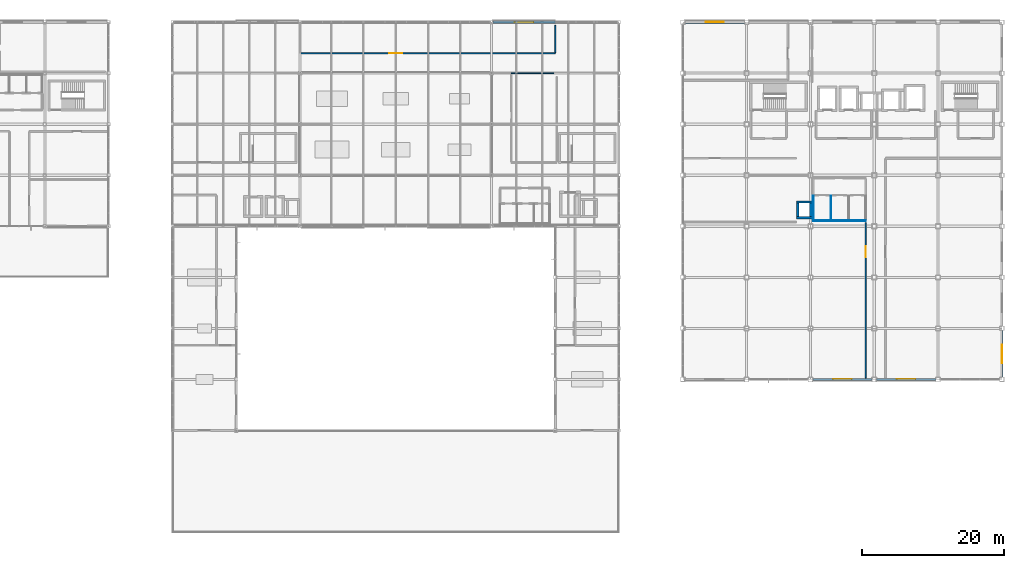
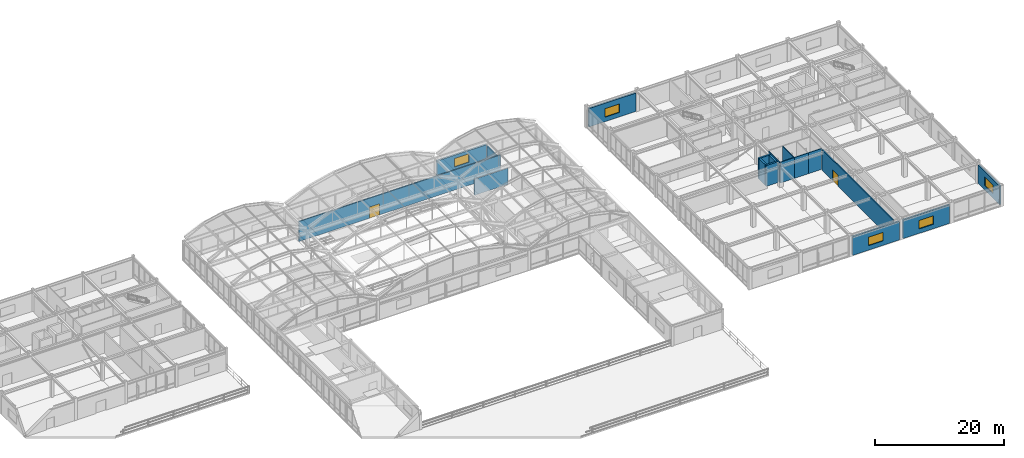
# One storey, part 89 of 106: 18 walls, 5 windows, 2 doors, 7 openings.
"""IFC4 building model written with IfcOpenShell, lengths in metres."""

from ifc_helpers import new_model, si_unit, direction, frame, frame_2d, origin, place, context, subcontext, project, spatial, rectangle, extrude, material, layer, layer_set, type_object, element, fill, save


model = new_model("IFC4")

# Units and contexts
model_context = context("Model", 3, precision=1e-05, world=origin(), true_north=direction((0.0, 1.0)))
body_context = subcontext(model_context, "Body", "Model", "MODEL_VIEW")
ifc_project = project(units=[si_unit("LENGTHUNIT", "METRE"), si_unit("AREAUNIT", "SQUARE_METRE"), si_unit("VOLUMEUNIT", "CUBIC_METRE"), si_unit("PLANEANGLEUNIT", "RADIAN"), si_unit("MASSUNIT", "GRAM", prefix="KILO")], contexts=[model_context])

# Site, building, storey
site_placement = place(None, origin())
site = spatial("IfcSite", under=ifc_project, at=site_placement, CompositionType="ELEMENT")
building_placement = place(site_placement, origin())
building = spatial("IfcBuilding", under=site, at=building_placement, Name="Kazanami Central Library", CompositionType="ELEMENT")
storey_placement = place(building_placement, frame((0.0, 0.0, 12.800048828125)))
storey = spatial("IfcBuildingStorey", under=building, at=storey_placement, Name="L04", CompositionType="ELEMENT", Elevation=12.800048828125)

# Wall, opening, window
ifc_material_1 = material(Name="Concrete Fc36 (36 MPa)", Category="concrete")
ifc_layer_1 = layer(ifc_material_1, 0.219970703125, Name="Concrete Fc36 (36 MPa)")
ifc_material_2 = material(Name="Extruded Polystyrene XPS", Category="earth")
ifc_layer_2 = layer(ifc_material_2, 0.050048828125, Name="Extruded Polystyrene XPS")
ifc_material_3 = material(Name="Honed Inada Granite", Category="masonry")
ifc_layer_3 = layer(ifc_material_3, 0.030029296875, Name="Honed Inada Granite")
ifc_layer_set_1 = layer_set([ifc_layer_1, ifc_layer_2, ifc_layer_3], Name="Concrete Fc36 (36 MPa)")
wall_type_1 = type_object("IfcWallType", Name="WAL-EW-300", PredefinedType="STANDARD", material=ifc_layer_set_1)
wall_1_placement = place(storey_placement, frame((162.0, 50.10009765625, 0.0), z_axis=(0.0, 0.0, 1.0), x_axis=(0.0, -1.0, 0.0)))
wall_1 = element("IfcWall", 1, at=wall_1_placement, inside=storey, type_object=wall_type_1, Name="Exterior Facade Wall EW-300 L04 E-19-06", PredefinedType="STANDARD", context=body_context, shape_type="SweptSolid", body=[
    extrude(rectangle(XDim=6.60009765625, YDim=0.300048828125, at=frame_2d((3.300048828125, 0.0))), origin(), (0.0, 0.0, 1.0), 3.52490234375),
])
opening_1_placement = place(wall_1_placement, frame((2.0, 0.0, 0.85009765625)))
opening_1 = element("IfcOpeningElement", 2, at=opening_1_placement, cuts=wall_1, Name="Opening WN-13", PredefinedType="OPENING", context=body_context, shape_type="SweptSolid", body=[
    extrude(rectangle(XDim=2.60009765625, YDim=1.60009765625, at=frame_2d((1.300048828125, 0.800048828125))), frame((0.0, 0.162109375, 0.0), z_axis=(0.0, -1.0, 0.0), x_axis=(1.0, 0.0, 0.0)), (0.0, 0.0, 1.0), 0.323974609375),
])
ifc_material_4 = material(Name="Low-E Insulated Triple Glass", Category="glass")
window_type = type_object("IfcWindowType", Name="WIN-WN-13", PartitioningType="DOUBLE_PANEL_VERTICAL", PredefinedType="WINDOW", material=ifc_material_4)
window_1_placement = place(opening_1_placement, origin())
window_1 = element("IfcWindow", 3, at=window_1_placement, inside=storey, type_object=window_type, Name="Facade Window WN-13 L04 E-19-06", OverallHeight=1.60009765625, OverallWidth=2.60009765625, PartitioningType="DOUBLE_PANEL_VERTICAL", PredefinedType="WINDOW", context=body_context, shape_type="SweptSolid", body=[
    extrude(rectangle(XDim=2.60009765625, YDim=1.60009765625, at=frame_2d((1.300048828125, 0.800048828125))), frame((0.0, 0.030029296875, 0.0), z_axis=(0.0, -1.0, 0.0), x_axis=(1.0, 0.0, 0.0)), (0.0, 0.0, 1.0), 0.06005859375),
])
fill(opening_1, window_1)

ifc_layer_4 = layer(ifc_material_1, 0.239990234375, Name="Concrete Fc36 (36 MPa)")
ifc_layer_5 = layer(ifc_material_2, 0.050048828125, Name="Extruded Polystyrene XPS")
ifc_layer_6 = layer(ifc_material_3, 0.030029296875, Name="Honed Inada Granite")
ifc_layer_set_2 = layer_set([ifc_layer_4, ifc_layer_5, ifc_layer_6], Name="Concrete Fc36 (36 MPa)")
wall_type_2 = type_object("IfcWallType", Name="WAL-EW-320", PredefinedType="STANDARD", material=ifc_layer_set_2)
wall_2_placement = place(storey_placement, frame((135.324951171875, 43.199951171875, 0.0), z_axis=(0.0, 0.0, 1.0), x_axis=(1.0, 0.0, 0.0)))
wall_2 = element("IfcWall", 4, at=wall_2_placement, inside=storey, type_object=wall_type_2, Name="Exterior Facade Wall EW-320 L04 S-G-15", PredefinedType="STANDARD", context=body_context, shape_type="SweptSolid", body=[
    extrude(rectangle(XDim=8.35009765625, YDim=0.320068359375, at=frame_2d((4.175048828125, 0.0))), origin(), (0.0, 0.0, 1.0), 3.52490234375),
])
opening_2_placement = place(wall_2_placement, frame((2.875, 0.0, 0.85009765625)))
opening_2 = element("IfcOpeningElement", 5, at=opening_2_placement, cuts=wall_2, Name="Opening WN-13", PredefinedType="OPENING", context=body_context, shape_type="SweptSolid", body=[
    extrude(rectangle(XDim=2.60009765625, YDim=1.60009765625, at=frame_2d((1.300048828125, 0.800048828125))), frame((0.0, 0.171875, 0.0), z_axis=(0.0, -1.0, 0.0), x_axis=(1.0, 0.0, 0.0)), (0.0, 0.0, 1.0), 0.343994140625),
])
window_2_placement = place(opening_2_placement, origin())
window_2 = element("IfcWindow", 6, at=window_2_placement, inside=storey, type_object=window_type, Name="Facade Window WN-13 L04 S-G-15", OverallHeight=1.60009765625, OverallWidth=2.60009765625, PartitioningType="DOUBLE_PANEL_VERTICAL", PredefinedType="WINDOW", context=body_context, shape_type="SweptSolid", body=[
    extrude(rectangle(XDim=2.60009765625, YDim=1.60009765625, at=frame_2d((1.300048828125, 0.800048828125))), frame((0.0, 0.030029296875, 0.0), z_axis=(0.0, -1.0, 0.0), x_axis=(1.0, 0.0, 0.0)), (0.0, 0.0, 1.0), 0.06005859375),
])
fill(opening_2, window_2)

wall_3_placement = place(storey_placement, frame((144.324951171875, 43.199951171875, 0.0), z_axis=(0.0, 0.0, 1.0), x_axis=(1.0, 0.0, 0.0)))
wall_3 = element("IfcWall", 7, at=wall_3_placement, inside=storey, type_object=wall_type_2, Name="Exterior Facade Wall EW-320 L04 S-G-16", PredefinedType="STANDARD", context=body_context, shape_type="SweptSolid", body=[
    extrude(rectangle(XDim=8.35009765625, YDim=0.320068359375, at=frame_2d((4.175048828125, 0.0))), origin(), (0.0, 0.0, 1.0), 3.52490234375),
])
opening_3_placement = place(wall_3_placement, frame((2.875, 0.0, 0.85009765625)))
opening_3 = element("IfcOpeningElement", 8, at=opening_3_placement, cuts=wall_3, Name="Opening WN-13", PredefinedType="OPENING", context=body_context, shape_type="SweptSolid", body=[
    extrude(rectangle(XDim=2.60009765625, YDim=1.60009765625, at=frame_2d((1.300048828125, 0.800048828125))), frame((0.0, 0.171875, 0.0), z_axis=(0.0, -1.0, 0.0), x_axis=(1.0, 0.0, 0.0)), (0.0, 0.0, 1.0), 0.343994140625),
])
window_3_placement = place(opening_3_placement, origin())
window_3 = element("IfcWindow", 9, at=window_3_placement, inside=storey, type_object=window_type, Name="Facade Window WN-13 L04 S-G-16", OverallHeight=1.60009765625, OverallWidth=2.60009765625, PartitioningType="DOUBLE_PANEL_VERTICAL", PredefinedType="WINDOW", context=body_context, shape_type="SweptSolid", body=[
    extrude(rectangle(XDim=2.60009765625, YDim=1.60009765625, at=frame_2d((1.300048828125, 0.800048828125))), frame((0.0, 0.030029296875, 0.0), z_axis=(0.0, -1.0, 0.0), x_axis=(1.0, 0.0, 0.0)), (0.0, 0.0, 1.0), 0.06005859375),
])
fill(opening_3, window_3)

wall_4_placement = place(storey_placement, frame((99.0, 93.60009765625, 0.0), z_axis=(0.0, 0.0, 1.0), x_axis=(-1.0, 0.0, 0.0)))
wall_4 = element("IfcWall", 10, at=wall_4_placement, inside=storey, type_object=wall_type_2, Name="Exterior Facade Wall EW-320 L04 N-O-10", PredefinedType="STANDARD", context=body_context, shape_type="SweptSolid", body=[
    extrude(rectangle(XDim=8.800048828125, YDim=0.320068359375, at=frame_2d((4.39990234375, 0.0))), origin(), (0.0, 0.0, 1.0), 3.079833984375),
])
opening_4_placement = place(wall_4_placement, frame((3.10009765625, 0.0, 0.85009765625)))
opening_4 = element("IfcOpeningElement", 11, at=opening_4_placement, cuts=wall_4, Name="Opening WN-13", PredefinedType="OPENING", context=body_context, shape_type="SweptSolid", body=[
    extrude(rectangle(XDim=2.60009765625, YDim=1.60009765625, at=frame_2d((1.300048828125, 0.800048828125))), frame((0.0, 0.171875, 0.0), z_axis=(0.0, -1.0, 0.0), x_axis=(1.0, 0.0, 0.0)), (0.0, 0.0, 1.0), 0.343994140625),
])
window_4_placement = place(opening_4_placement, origin())
window_4 = element("IfcWindow", 12, at=window_4_placement, inside=storey, type_object=window_type, Name="Facade Window WN-13 L04 N-O-10", OverallHeight=1.60009765625, OverallWidth=2.60009765625, PartitioningType="DOUBLE_PANEL_VERTICAL", PredefinedType="WINDOW", context=body_context, shape_type="SweptSolid", body=[
    extrude(rectangle(XDim=2.60009765625, YDim=1.60009765625, at=frame_2d((1.300048828125, 0.800048828125))), frame((0.0, 0.030029296875, 0.0), z_axis=(0.0, -1.0, 0.0), x_axis=(1.0, 0.0, 0.0)), (0.0, 0.0, 1.0), 0.06005859375),
])
fill(opening_4, window_4)

wall_5_placement = place(storey_placement, frame((125.699951171875, 93.60009765625, 0.0), z_axis=(0.0, 0.0, 1.0), x_axis=(-1.0, 0.0, 0.0)))
wall_5 = element("IfcWall", 13, at=wall_5_placement, inside=storey, type_object=wall_type_2, Name="Exterior Facade Wall EW-320 L04 N-O-13", PredefinedType="STANDARD", context=body_context, shape_type="SweptSolid", body=[
    extrude(rectangle(XDim=8.39990234375, YDim=0.320068359375, at=frame_2d((4.199951171875, 0.0))), origin(), (0.0, 0.0, 1.0), 3.489990234375),
])
opening_5_placement = place(wall_5_placement, frame((2.89990234375, 0.0, 0.85009765625)))
opening_5 = element("IfcOpeningElement", 14, at=opening_5_placement, cuts=wall_5, Name="Opening WN-13", PredefinedType="OPENING", context=body_context, shape_type="SweptSolid", body=[
    extrude(rectangle(XDim=2.60009765625, YDim=1.60009765625, at=frame_2d((1.300048828125, 0.800048828125))), frame((0.0, 0.171875, 0.0), z_axis=(0.0, -1.0, 0.0), x_axis=(1.0, 0.0, 0.0)), (0.0, 0.0, 1.0), 0.343994140625),
])
window_5_placement = place(opening_5_placement, origin())
window_5 = element("IfcWindow", 15, at=window_5_placement, inside=storey, type_object=window_type, Name="Facade Window WN-13 L04 N-O-13", OverallHeight=1.60009765625, OverallWidth=2.60009765625, PartitioningType="DOUBLE_PANEL_VERTICAL", PredefinedType="WINDOW", context=body_context, shape_type="SweptSolid", body=[
    extrude(rectangle(XDim=2.60009765625, YDim=1.60009765625, at=frame_2d((1.300048828125, 0.800048828125))), frame((0.0, 0.030029296875, 0.0), z_axis=(0.0, -1.0, 0.0), x_axis=(1.0, 0.0, 0.0)), (0.0, 0.0, 1.0), 0.06005859375),
])
fill(opening_5, window_5)

# Wall, opening, door
ifc_material_5 = material(Name="Fire-Resistant Gypsum Board GB-F", Category="gypsum")
ifc_layer_7 = layer(ifc_material_5, 0.179931640625, Name="Fire-Resistant Gypsum Board GB-F")
ifc_layer_set_3 = layer_set([ifc_layer_7], Name="Fire-Resistant Gypsum Board GB-F")
wall_type_3 = type_object("IfcWallType", Name="WAL-FW-180", PredefinedType="PARTITIONING", material=ifc_layer_set_3)
wall_6_placement = place(storey_placement, frame((63.0, 89.199951171875, 0.0), z_axis=(0.0, 0.0, 1.0), x_axis=(1.0, 0.0, 0.0)))
wall_6 = element("IfcWall", 16, at=wall_6_placement, inside=storey, type_object=wall_type_3, Name="Interior Partition FW-180 L04 RM-21 (South)", PredefinedType="PARTITIONING", context=body_context, shape_type="SweptSolid", body=[
    extrude(rectangle(XDim=36.0, YDim=0.179931640625, at=frame_2d((18.0, 0.0))), origin(), (0.0, 0.0, 1.0), 3.780029296875),
])
opening_6_placement = place(wall_6_placement, frame((12.574951171875, 0.0, 0.0)))
opening_6 = element("IfcOpeningElement", 17, at=opening_6_placement, cuts=wall_6, Name="Opening FD30-5", PredefinedType="OPENING", context=body_context, shape_type="SweptSolid", body=[
    extrude(rectangle(XDim=1.85009765625, YDim=2.1201171875, at=frame_2d((0.925048828125, 1.06005859375))), frame((0.0, 0.10205078125, 0.0), z_axis=(0.0, -1.0, 0.0), x_axis=(1.0, 0.0, 0.0)), (0.0, 0.0, 1.0), 0.203857421875),
])
ifc_material_6 = material(Name="Cold-Rolled Steel SPCC", Category="steel")
door_type_1 = type_object("IfcDoorType", Name="DOR-FD30-5", OperationType="DOUBLE_DOOR_SINGLE_SWING", PredefinedType="DOOR", material=ifc_material_6)
door_1_placement = place(opening_6_placement, origin())
door_1 = element("IfcDoor", 18, at=door_1_placement, inside=storey, type_object=door_type_1, Name="Interior Door FD30-5 L04 RM-21", OperationType="DOUBLE_DOOR_SINGLE_SWING", OverallHeight=2.1201171875, OverallWidth=1.85009765625, PredefinedType="DOOR", context=body_context, shape_type="SweptSolid", body=[
    extrude(rectangle(XDim=1.85009765625, YDim=2.1201171875, at=frame_2d((0.925048828125, 1.06005859375))), frame((0.0, 0.02490234375, 0.0), z_axis=(0.0, -1.0, 0.0), x_axis=(1.0, 0.0, 0.0)), (0.0, 0.0, 1.0), 0.050048828125),
])
fill(opening_6, door_1)

# Wall
wall_7_placement = place(storey_placement, frame((99.0, 89.2900390625, 0.0), z_axis=(0.0, 0.0, 1.0), x_axis=(0.0, 1.0, 0.0)))
element("IfcWall", 19, at=wall_7_placement, inside=storey, type_object=wall_type_3, Name="Interior Partition FW-180 L04 RM-21 (East)", PredefinedType="PARTITIONING", context=body_context, shape_type="SweptSolid", body=[
    extrude(rectangle(XDim=3.85498046875, YDim=0.179931640625, at=frame_2d((1.927490234375, 0.0))), origin(), (0.0, 0.0, 1.0), 3.06005859375),
])

# Wall, opening, door
ifc_layer_8 = layer(ifc_material_5, 0.199951171875, Name="Fire-Resistant Gypsum Board GB-F")
ifc_layer_set_4 = layer_set([ifc_layer_8], Name="Fire-Resistant Gypsum Board GB-F")
wall_type_4 = type_object("IfcWallType", Name="WAL-FW-200", PredefinedType="PARTITIONING", material=ifc_layer_set_4)
wall_8_placement = place(storey_placement, frame((142.800048828125, 43.364990234375, 0.0), z_axis=(0.0, 0.0, 1.0), x_axis=(0.0, 1.0, 0.0)))
wall_8 = element("IfcWall", 20, at=wall_8_placement, inside=storey, type_object=wall_type_4, Name="Interior Partition FW-200 L04 RM-26 (East)", PredefinedType="PARTITIONING", context=body_context, shape_type="SweptSolid", body=[
    extrude(rectangle(XDim=21.945068359375, YDim=0.199951171875, at=frame_2d((10.97265625, 0.0))), origin(), (0.0, 0.0, 1.0), 3.93994140625),
])
opening_7_placement = place(wall_8_placement, frame((17.034912109375, 0.0, 0.0)))
opening_7 = element("IfcOpeningElement", 21, at=opening_7_placement, cuts=wall_8, Name="Opening FD60-4", PredefinedType="OPENING", context=body_context, shape_type="SweptSolid", body=[
    extrude(rectangle(XDim=1.60009765625, YDim=2.1201171875, at=frame_2d((0.800048828125, 1.06005859375))), frame((0.0, 0.11181640625, 0.0), z_axis=(0.0, -1.0, 0.0), x_axis=(1.0, 0.0, 0.0)), (0.0, 0.0, 1.0), 0.223876953125),
])
door_type_2 = type_object("IfcDoorType", Name="DOR-FD60-4", OperationType="DOUBLE_DOOR_SINGLE_SWING", PredefinedType="DOOR", material=ifc_material_6)
door_2_placement = place(opening_7_placement, origin())
door_2 = element("IfcDoor", 22, at=door_2_placement, inside=storey, type_object=door_type_2, Name="Interior Door FD60-4 L04 RM-26", OperationType="DOUBLE_DOOR_SINGLE_SWING", OverallHeight=2.1201171875, OverallWidth=1.60009765625, PredefinedType="DOOR", context=body_context, shape_type="SweptSolid", body=[
    extrude(rectangle(XDim=1.60009765625, YDim=2.1201171875, at=frame_2d((0.800048828125, 1.06005859375))), frame((0.0, 0.02490234375, 0.0), z_axis=(0.0, -1.0, 0.0), x_axis=(1.0, 0.0, 0.0)), (0.0, 0.0, 1.0), 0.050048828125),
])
fill(opening_7, door_2)

# Walls
ifc_material_7 = material(Name="Gypsum Plasterboard GB-R", Category="gypsum")
ifc_layer_9 = layer(ifc_material_7, 0.125, Name="Gypsum Plasterboard GB-R")
ifc_layer_set_5 = layer_set([ifc_layer_9], Name="Gypsum Plasterboard GB-R")
wall_type_5 = type_object("IfcWallType", Name="WAL-PW-125", PredefinedType="PARTITIONING", material=ifc_layer_set_5)
wall_9_placement = place(storey_placement, frame((135.39990234375, 65.60009765625, 0.0), z_axis=(0.0, 0.0, 1.0), x_axis=(1.0, 0.0, 0.0)))
element("IfcWall", 23, at=wall_9_placement, inside=storey, type_object=wall_type_5, Name="Interior Partition PW-125 L04 WC-V2-M (South)", PredefinedType="PARTITIONING", context=body_context, shape_type="SweptSolid", body=[
    extrude(rectangle(XDim=2.5, YDim=0.125, at=frame_2d((1.25, 0.0))), origin(), (0.0, 0.0, 1.0), 3.93994140625),
])
for number, where, z_axis, x_axis, name in (
    (24, (135.39990234375, 65.68994140625, 0.0), (0.0, 0.0, 1.0), (0.0, 1.0, 0.0), "Interior Partition PW-125 L04 WC-V2-M (West)"),
    (25, (137.89990234375, 65.68994140625, 0.0), (0.0, 0.0, 1.0), (0.0, 1.0, 0.0), "Interior Partition PW-125 L04 WC-V2-M (East)"),
):
    element("IfcWall", number, at=place(storey_placement, frame(where, z_axis=z_axis, x_axis=x_axis)), inside=storey, type_object=wall_type_5, Name=name, PredefinedType="PARTITIONING", context=body_context, shape_type="SweptSolid", body=[
        extrude(rectangle(XDim=3.420166015625, YDim=0.125, at=frame_2d((1.7099609375, 0.0))), origin(), (0.0, 0.0, 1.0), 3.93994140625),
    ])
wall_10_placement = place(storey_placement, frame((137.89990234375, 65.60009765625, 0.0), z_axis=(0.0, 0.0, 1.0), x_axis=(1.0, 0.0, 0.0)))
element("IfcWall", 26, at=wall_10_placement, inside=storey, type_object=wall_type_5, Name="Interior Partition PW-125 L04 WC-V2-F (South)", PredefinedType="PARTITIONING", context=body_context, shape_type="SweptSolid", body=[
    extrude(rectangle(XDim=2.5, YDim=0.125, at=frame_2d((1.25, 0.0))), origin(), (0.0, 0.0, 1.0), 3.93994140625),
])
wall_11_placement = place(storey_placement, frame((140.39990234375, 65.60009765625, 0.0), z_axis=(0.0, 0.0, 1.0), x_axis=(1.0, 0.0, 0.0)))
element("IfcWall", 27, at=wall_11_placement, inside=storey, type_object=wall_type_5, Name="Interior Partition PW-125 L04 WC-V2-ACC (South)", PredefinedType="PARTITIONING", context=body_context, shape_type="SweptSolid", body=[
    extrude(rectangle(XDim=2.400146484375, YDim=0.125, at=frame_2d((1.2001953125, 0.0))), origin(), (0.0, 0.0, 1.0), 3.93994140625),
])
ifc_layer_10 = layer(ifc_material_7, 0.14990234375, Name="Gypsum Plasterboard GB-R")
ifc_layer_set_6 = layer_set([ifc_layer_10], Name="Gypsum Plasterboard GB-R")
wall_type_6 = type_object("IfcWallType", Name="WAL-PW-150", PredefinedType="PARTITIONING", material=ifc_layer_set_6)
wall_12_placement = place(storey_placement, frame((92.800048828125, 86.39990234375, 0.0), z_axis=(0.0, 0.0, 1.0), x_axis=(1.0, 0.0, 0.0)))
element("IfcWall", 28, at=wall_12_placement, inside=storey, type_object=wall_type_6, Name="Interior Partition PW-150 L04 RM-20 (North)", PredefinedType="PARTITIONING", context=body_context, shape_type="SweptSolid", body=[
    extrude(rectangle(XDim=5.97998046875, YDim=0.14990234375, at=frame_2d((2.989990234375, 0.0))), origin(), (0.0, 0.0, 1.0), 3.06005859375),
])
ifc_layer_11 = layer(ifc_material_1, 0.300048828125, Name="Concrete Fc36 (36 MPa)")
ifc_layer_set_7 = layer_set([ifc_layer_11], Name="Concrete Fc36 (36 MPa)")
wall_type_7 = type_object("IfcWallType", Name="WAL-SW-300", PredefinedType="SHEAR", material=ifc_layer_set_7)
for number, where, z_axis, x_axis, name in (
    (29, (133.050048828125, 66.0, 0.0), (0.0, 0.0, 1.0), (1.0, 0.0, 0.0), "Service Riser Wall RSR-V2-B S L04"),
    (30, (133.050048828125, 68.199951171875, 0.0), (0.0, 0.0, 1.0), (1.0, 0.0, 0.0), "Service Riser Wall RSR-V2-B N L04"),
):
    element("IfcWall", number, at=place(storey_placement, frame(where, z_axis=z_axis, x_axis=x_axis)), inside=storey, type_object=wall_type_7, Name=name, PredefinedType="SHEAR", context=body_context, shape_type="SweptSolid", body=[
        extrude(rectangle(XDim=2.099853515625, YDim=0.300048828125, at=frame_2d((1.0498046875, 0.0))), origin(), (0.0, 0.0, 1.0), 3.93994140625),
    ])
for number, where, z_axis, x_axis, name in (
    (31, (133.199951171875, 66.14990234375, 0.0), (0.0, 0.0, 1.0), (0.0, 1.0, 0.0), "Service Riser Wall RSR-V2-B W L04"),
    (32, (135.0, 66.14990234375, 0.0), (0.0, 0.0, 1.0), (0.0, 1.0, 0.0), "Service Riser Wall RSR-V2-B E L04"),
):
    element("IfcWall", number, at=place(storey_placement, frame(where, z_axis=z_axis, x_axis=x_axis)), inside=storey, type_object=wall_type_7, Name=name, PredefinedType="SHEAR", context=body_context, shape_type="SweptSolid", body=[
        extrude(rectangle(XDim=1.900146484375, YDim=0.300048828125, at=frame_2d((0.9501953125, 0.0))), origin(), (0.0, 0.0, 1.0), 3.93994140625),
    ])

save(model, "model.ifc")
